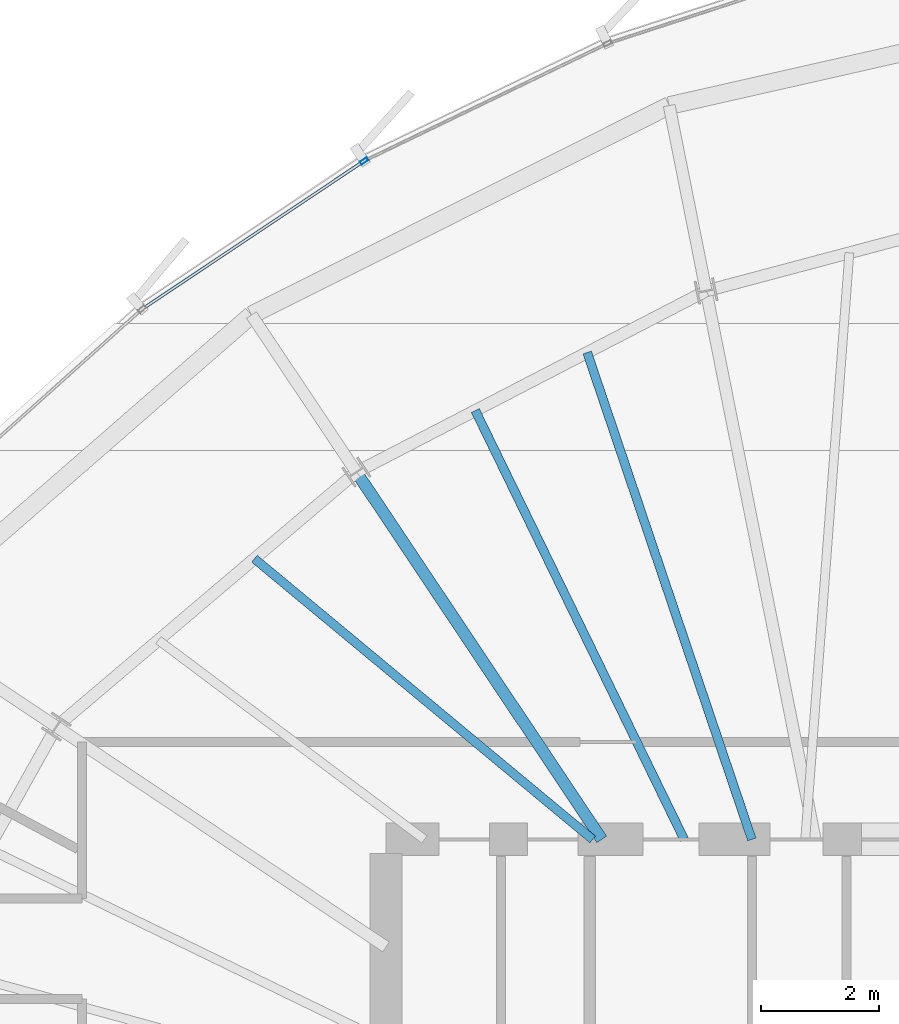
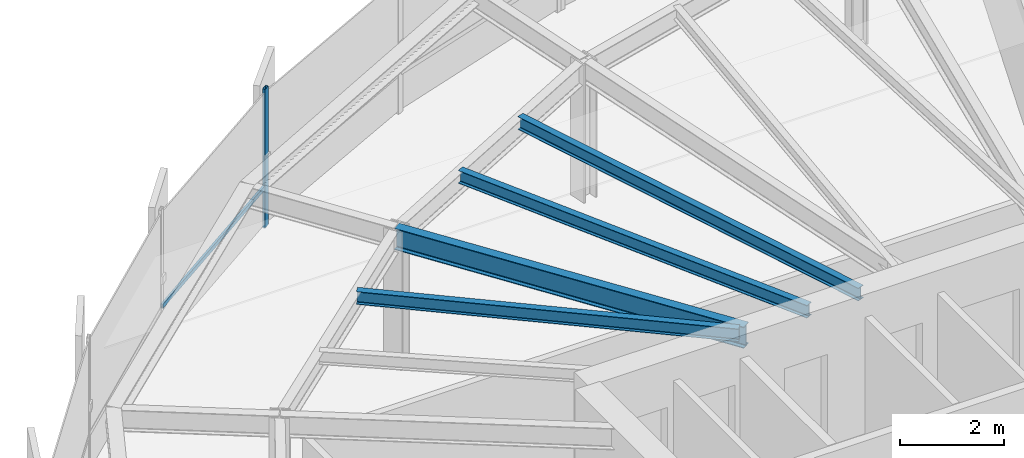
# One storey, part 21 of 34: 4 beams, 2 members, 1 element without a shape of its own.
"""IFC4 building model written with IfcOpenShell, lengths in metres."""

from ifc_helpers import new_model, si_unit, direction, frame, origin, origin_2d, place, context, subcontext, project, spatial, hollow_rectangle, i_section, extrude, source, transform, mapped, material, layer, layer_set, material_profile, profile_set, type_object, element, aggregate, save


model = new_model("IFC4")

# Units and contexts
model_context = context("Model", 3, precision=1e-05, world=origin(), true_north=direction((0.0, 1.0)))
body_context = subcontext(model_context, "Body", "Model", "MODEL_VIEW")
ifc_project = project(units=[si_unit("LENGTHUNIT", "METRE"), si_unit("AREAUNIT", "SQUARE_METRE"), si_unit("VOLUMEUNIT", "CUBIC_METRE"), si_unit("PLANEANGLEUNIT", "RADIAN"), si_unit("MASSUNIT", "GRAM", prefix="KILO"), si_unit("THERMODYNAMICTEMPERATUREUNIT", "KELVIN")], contexts=[model_context])

# Site, building, storey
site_placement = place(None, origin())
site = spatial("IfcSite", under=ifc_project, at=site_placement, CompositionType="ELEMENT")
building_placement = place(site_placement, origin())
building = spatial("IfcBuilding", under=site, at=building_placement, Name="Kethvar Cultural Tower", CompositionType="ELEMENT")
storey_placement = place(building_placement, frame((0.0, 0.0, 186.89990234375)))
storey = spatial("IfcBuildingStorey", under=building, at=storey_placement, Name="L48", CompositionType="ELEMENT", Elevation=186.89990234375)

# Beams
ifc_material_1 = material(Name="Steel S355J2", Category="steel")
ifc_material_profile_1 = material_profile(ifc_material_1, i_section(OverallWidth=0.199951171875, OverallDepth=0.5, WebThickness=0.01025390625, FlangeThickness=0.01611328125, FilletRadius=0.02099609375, at=origin_2d()), Name="Steel S355J2 — IPE500")
ifc_profile_set_1 = profile_set([ifc_material_profile_1], Name="Steel S355J2 — IPE500")
beam_type_1 = type_object("IfcBeamType", Name="BM-IPE500", PredefinedType="BEAM", material=ifc_profile_set_1)
shared_shape_1 = source(origin(), body_context, "Body", "SweptSolid", [
    extrude(i_section(OverallWidth=0.199951171875, OverallDepth=0.5, WebThickness=0.01025390625, FlangeThickness=0.01611328125, FilletRadius=0.02099609375, at=origin_2d()), origin(), (0.0, 0.0, 1.0), 7.481201171875),
])
beam_1_placement = place(storey_placement, frame((41.655029296875, 35.5, 3.008056640625), z_axis=(-0.55555842186, 0.831477504146, 0.0), x_axis=(-0.831477504146, -0.55555842186, 0.0)))
element("IfcBeam", 1, at=beam_1_placement, inside=storey, type_object=beam_type_1, Name="L48 Primary Radial Beam RB-06", PredefinedType="BEAM", context=body_context, shape_type="MappedRepresentation", body=[
    mapped(shared_shape_1, transform((0.0, 0.0, 0.0), scale=1.0)),
])
ifc_material_profile_2 = material_profile(ifc_material_1, i_section(OverallWidth=0.14990234375, OverallDepth=0.300048828125, WebThickness=0.007080078125, FlangeThickness=0.0107421875, FilletRadius=0.014892578125, at=origin_2d()), Name="Steel S355J2 — IPE300")
ifc_profile_set_2 = profile_set([ifc_material_profile_2], Name="Steel S355J2 — IPE300")
beam_type_2 = type_object("IfcBeamType", Name="BM-J300", PredefinedType="JOIST", material=ifc_profile_set_2)
shared_shape_2 = source(origin(), body_context, "Body", "SweptSolid", [
    extrude(i_section(OverallWidth=0.14990234375, OverallDepth=0.300048828125, WebThickness=0.007080078125, FlangeThickness=0.0107421875, FilletRadius=0.014892578125, at=origin_2d()), origin(), (0.0, 0.0, 1.0), 8.70458984375),
])
beam_2_placement = place(storey_placement, frame((44.19580078125, 35.5, 3.108154296875), z_axis=(-0.320356133074, 0.947297180404, 0.0), x_axis=(-0.947297180404, -0.320356133074, 0.0)))
element("IfcBeam", 2, at=beam_2_placement, inside=storey, type_object=beam_type_2, Name="L48 Composite Floor Joist J-05A", PredefinedType="JOIST", context=body_context, shape_type="MappedRepresentation", body=[
    mapped(shared_shape_2, transform((0.0, 0.0, 0.0), scale=1.0)),
])
shared_shape_3 = source(origin(), body_context, "Body", "SweptSolid", [
    extrude(i_section(OverallWidth=0.14990234375, OverallDepth=0.300048828125, WebThickness=0.007080078125, FlangeThickness=0.0107421875, FilletRadius=0.014892578125, at=origin_2d()), origin(), (0.0, 0.0, 1.0), 8.07958984375),
])
beam_3_placement = place(storey_placement, frame((43.0498046875, 35.5, 3.108154296875), z_axis=(-0.437846062021, 0.89904995744, 0.0), x_axis=(-0.89904995744, -0.437846062021, 0.0)))
element("IfcBeam", 3, at=beam_3_placement, inside=storey, type_object=beam_type_2, Name="L48 Composite Floor Joist J-05B", PredefinedType="JOIST", context=body_context, shape_type="MappedRepresentation", body=[
    mapped(shared_shape_3, transform((0.0, 0.0, 0.0), scale=1.0)),
])
shared_shape_4 = source(origin(), body_context, "Body", "SweptSolid", [
    extrude(i_section(OverallWidth=0.14990234375, OverallDepth=0.300048828125, WebThickness=0.007080078125, FlangeThickness=0.0107421875, FilletRadius=0.014892578125, at=origin_2d()), origin(), (0.0, 0.0, 1.0), 7.444580078125),
])
beam_4_placement = place(storey_placement, frame((41.5, 35.5, 3.108154296875), z_axis=(-0.769483166858, 0.638667093188, 0.0), x_axis=(-0.638667093188, -0.769483166858, 0.0)))
element("IfcBeam", 4, at=beam_4_placement, inside=storey, type_object=beam_type_2, Name="L48 Composite Floor Joist J-06A", PredefinedType="JOIST", context=body_context, shape_type="MappedRepresentation", body=[
    mapped(shared_shape_4, transform((0.0, 0.0, 0.0), scale=1.0)),
])

# Curtain wall, members
ifc_material_2 = material(Name="Aluminium 6063-T6", Category="aluminium")
ifc_layer = layer(ifc_material_2, 0.179931640625, Name="Aluminium 6063-T6", Category="aluminium")
ifc_layer_set = layer_set([ifc_layer], Name="Aluminium 6063-T6 (180 mm)")
curtain_wall_type = type_object("IfcCurtainWallType", Name="CW-SYS-04-Z34", PredefinedType="NOTDEFINED", material=ifc_layer_set)
curtain_wall_placement = place(storey_placement, origin())
curtain_wall = element("IfcCurtainWall", 5, at=curtain_wall_placement, inside=storey, type_object=curtain_wall_type, Name="L48 Curtain Wall Run 02", PredefinedType="NOTDEFINED")
ifc_material_profile_3 = material_profile(ifc_material_2, hollow_rectangle(XDim=0.06005859375, YDim=0.139892578125, WallThickness=0.0048828125, at=origin_2d()), Name="Aluminium 6063-T6 — RHS140x60x5")
ifc_profile_set_3 = profile_set([ifc_material_profile_3], Name="Aluminium 6063-T6 — RHS140x60x5")
member_type_1 = type_object("IfcMemberType", Name="CW-SYS-04-Z34-MUL", PredefinedType="MULLION", material=ifc_profile_set_3)
shared_shape_5 = source(origin(), body_context, "Body", "SweptSolid", [
    extrude(hollow_rectangle(XDim=0.06005859375, YDim=0.139892578125, WallThickness=0.0048828125, at=origin_2d()), origin(), (0.0, 0.0, 1.0), 3.260009765625),
])
member_1_placement = place(storey_placement, frame((37.6298828125, 46.990966796875, 0.0), z_axis=(0.0, 0.0, 1.0), x_axis=(0.555207383086, -0.83171194639, 0.0)))
member_1 = element("IfcMember", 6, at=member_1_placement, type_object=member_type_1, Name="CW-L48-R02 Mullion 3", PredefinedType="MULLION", context=body_context, shape_type="MappedRepresentation", body=[
    mapped(shared_shape_5, transform((0.0, 0.0, 0.0), scale=1.0)),
])
ifc_material_profile_4 = material_profile(ifc_material_2, hollow_rectangle(XDim=0.050048828125, YDim=0.10009765625, WallThickness=0.00390625, at=origin_2d()), Name="Aluminium 6063-T6 — RHS100x50x4")
ifc_profile_set_4 = profile_set([ifc_material_profile_4], Name="Aluminium 6063-T6 — RHS100x50x4")
member_type_2 = type_object("IfcMemberType", Name="CW-SYS-04-Z34-TRN", PredefinedType="USERDEFINED", material=ifc_profile_set_4)
shared_shape_6 = source(origin(), body_context, "Body", "SweptSolid", [
    extrude(hollow_rectangle(XDim=0.050048828125, YDim=0.10009765625, WallThickness=0.00390625, at=origin_2d()), origin(), (0.0, 0.0, 1.0), 4.449462890625),
])
member_2_placement = place(storey_placement, frame((37.593994140625, 46.967041015625, 0.9501953125), z_axis=(-0.831704035723, -0.555219233242, 0.0), x_axis=(0.555219233242, -0.831704035723, 0.0)))
member_2 = element("IfcMember", 7, at=member_2_placement, type_object=member_type_2, Name="CW-L48-R02 Transom 3", ObjectType="TRANSOM", PredefinedType="USERDEFINED", context=body_context, shape_type="MappedRepresentation", body=[
    mapped(shared_shape_6, transform((0.0, 0.0, 0.0), scale=1.0)),
])
aggregate(curtain_wall, [member_1, member_2])

save(model, "model.ifc")
